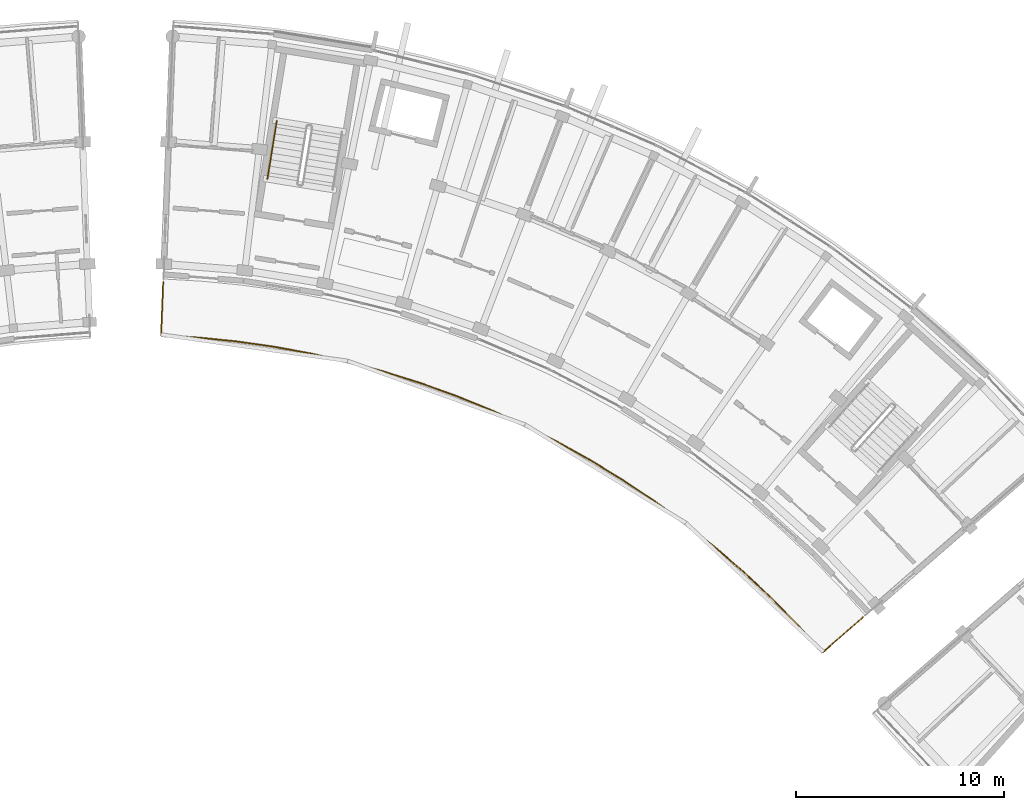
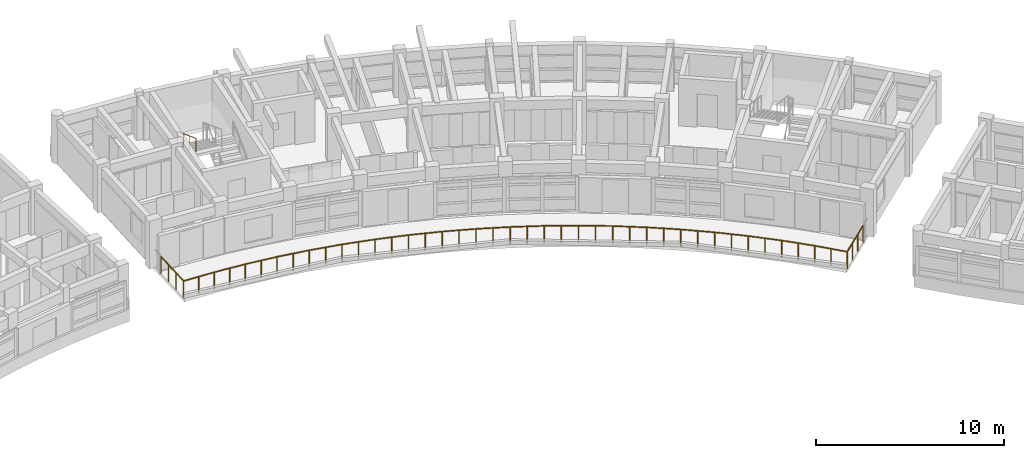
# One storey, part 33 of 38: 2 railings.
"""IFC4 building model written with IfcOpenShell, lengths in metres."""

import ifcopenshell
import ifcopenshell.guid

model = None  # the IFC model being written
_history = None  # IfcOwnerHistory: only IFC2X3 demands one
_inside = {}  # id of a spatial element -> (the spatial element, [elements in it])
_under = {}  # id of a project, library or spatial element -> (it, [spatial elements below it])
_declared = {}  # id of a project -> (the project, [libraries it declares])
_typed = {}  # id of a type object -> (the type object, [elements of that type])
_made_of = {}  # id of a material, layer set ... -> (it, [elements and type objects made of it])


def new_model(schema):
    """Start an empty IFC model of exactly this schema.

    Asked for "IFC4X3", IfcOpenShell would pick the latest addendum, in which some entities
    have other attributes; the version numbers below select the first issue.
    IFC2X3 requires an IfcOwnerHistory on every rooted entity: one is made here for all.
    """
    global model, _history
    if schema == "IFC4X3":
        model = ifcopenshell.file(schema_version=(4, 3, 0, 0))
    else:
        model = ifcopenshell.file(schema=schema)
    _inside.clear()
    _under.clear()
    _declared.clear()
    _typed.clear()
    _made_of.clear()
    _history = None
    if model.schema == "IFC2X3":
        org = make("IfcOrganization", Name="unknown")
        user = make(
            "IfcPersonAndOrganization",
            ThePerson=make("IfcPerson", FamilyName="unknown"),
            TheOrganization=org,
        )
        app = make(
            "IfcApplication",
            ApplicationDeveloper=org,
            Version="unknown",
            ApplicationFullName="unknown",
            ApplicationIdentifier="unknown",
        )
        _history = make(
            "IfcOwnerHistory",
            OwningUser=user,
            OwningApplication=app,
            ChangeAction="ADDED",
            CreationDate=0,
        )
    return model


def make(cls, **values):
    """One entity of the class cls with the attributes given. An attribute that is None is left unset."""
    return model.create_entity(
        cls, **{name: value for name, value in values.items() if value is not None}
    )


def rooted(cls, **values):
    """An entity with a GlobalId (a new one), such as an element, a storey or a relation."""
    return make(cls, GlobalId=ifcopenshell.guid.new(), OwnerHistory=_history, **values)


def si_unit(unit_type, name, prefix=None):
    """IfcSIUnit, for example si_unit("LENGTHUNIT", "METRE", prefix="MILLI")."""
    return make("IfcSIUnit", UnitType=unit_type, Prefix=prefix, Name=name)


def assignment(units):
    """IfcUnitAssignment: the units of a project."""
    return None if units is None else make("IfcUnitAssignment", Units=units)


def point(xyz):
    """IfcCartesianPoint."""
    return None if xyz is None else make("IfcCartesianPoint", Coordinates=xyz)


def direction(xyz):
    """IfcDirection."""
    return None if xyz is None else make("IfcDirection", DirectionRatios=xyz)


def frame(location, z_axis=None, x_axis=None):
    """IfcAxis2Placement3D, a coordinate frame: its origin and axes. An axis left out is left unset."""
    return make(
        "IfcAxis2Placement3D",
        Location=point(location),
        Axis=direction(z_axis),
        RefDirection=direction(x_axis),
    )


def frame_2d(location, x_axis=None):
    """IfcAxis2Placement2D, a coordinate frame in the plane: its origin and x axis."""
    return make(
        "IfcAxis2Placement2D", Location=point(location), RefDirection=direction(x_axis)
    )


def origin():
    """The frame at (0, 0, 0) with its axes left unset."""
    return frame((0.0, 0.0, 0.0))


def origin_2d():
    """The frame at (0, 0) in the plane with its x axis left unset."""
    return frame_2d((0.0, 0.0))


def place(relative_to, where):
    """IfcLocalPlacement: puts the frame where relative to a parent placement (None: the world)."""
    return make(
        "IfcLocalPlacement", PlacementRelTo=relative_to, RelativePlacement=where
    )


def context(
    kind, dimensions, precision=None, world=None, true_north=None, identifier=None
):
    """IfcGeometricRepresentationContext, for example the 3D "Model" context."""
    return make(
        "IfcGeometricRepresentationContext",
        ContextIdentifier=identifier,
        ContextType=kind,
        CoordinateSpaceDimension=dimensions,
        Precision=precision,
        WorldCoordinateSystem=world,
        TrueNorth=true_north,
    )


def subcontext(parent, identifier, kind, view, scale=None):
    """IfcGeometricRepresentationSubContext, for example "Body" below "Model"."""
    return make(
        "IfcGeometricRepresentationSubContext",
        ContextIdentifier=identifier,
        ContextType=kind,
        ParentContext=parent,
        TargetScale=scale,
        TargetView=view,
    )


def project(units=None, contexts=None):
    """IfcProject with its units and contexts."""
    return rooted(
        "IfcProject",
        Name="project",
        RepresentationContexts=contexts,
        UnitsInContext=assignment(units),
    )


def spatial(cls, under=None, at=None, **own):
    """A site, building, storey or space (cls), placed at a placement, below another one or the project."""
    s = rooted(cls, ObjectPlacement=at, **own)
    if under is not None:
        _under.setdefault(under.id(), (under, []))[1].append(s)
    return s


def profile(cls, at=None, kind="AREA", **sizes):
    """A parametric profile (cls). Its sizes go by their IFC names, for example OverallWidth=200.0."""
    return make(cls, ProfileType=kind, Position=at, **sizes)


def circle(**sizes):
    """IfcCircleProfileDef."""
    return profile("IfcCircleProfileDef", **sizes)


def extrude(swept, where, along, depth):
    """IfcExtrudedAreaSolid: the profile swept, set in the frame where, extruded along a direction by depth."""
    return make(
        "IfcExtrudedAreaSolid",
        SweptArea=swept,
        Position=where,
        ExtrudedDirection=direction(along),
        Depth=depth,
    )


def shape(context_of_items, identifier, shape_type, items):
    """IfcShapeRepresentation: the items that make up one representation, for example the "Body"."""
    return make(
        "IfcShapeRepresentation",
        ContextOfItems=context_of_items,
        RepresentationIdentifier=identifier,
        RepresentationType=shape_type,
        Items=items,
    )


def material(Name=None, Category=None):
    """IfcMaterial."""
    return make("IfcMaterial", Name=Name, Category=Category)


def made_of(thing, what):
    """Note that an element or type object is made of a material, layer set ...; save() writes the relation."""
    if what is not None:
        _made_of.setdefault(what.id(), (what, []))[1].append(thing)
    return thing


def type_object(cls, material=None, **own):
    """A type object (cls), such as IfcWallType, which elements share."""
    return made_of(rooted(cls, **own), material)


def element(
    cls,
    number,
    at=None,
    inside=None,
    cuts=None,
    type_object=None,
    material=None,
    context=None,
    identifier="Body",
    shape_type=None,
    held_by="IfcProductDefinitionShape",
    body=None,
    shapes=None,
    **own,
):
    """One element of the class cls, such as IfcWall. Its Tag is "e" and its number.

    at: its placement. inside: the storey or other place that contains it. cuts: it is an
    opening in that element (IfcRelVoidsElement). A single representation is given by context,
    identifier, shape_type and body (its items); several are given by shapes. held_by: the class
    of the entity that holds the representations. save() writes the other relations.
    """
    e = rooted(cls, Tag="e%d" % number, ObjectPlacement=at, **own)
    if body is not None:
        shapes = [shape(context, identifier, shape_type, body)]
    if shapes is not None:
        e.Representation = make(held_by, Representations=shapes)
    if inside is not None:
        _inside.setdefault(inside.id(), (inside, []))[1].append(e)
    if cuts is not None:
        rooted(
            "IfcRelVoidsElement", RelatingBuildingElement=cuts, RelatedOpeningElement=e
        )
    if type_object is not None:
        _typed.setdefault(type_object.id(), (type_object, []))[1].append(e)
    return made_of(e, material)


def aggregate(whole, parts):
    """IfcRelAggregates: a whole, such as a stair, and the parts it consists of."""
    return rooted("IfcRelAggregates", RelatingObject=whole, RelatedObjects=parts)


def save(model, path):
    """Write the relations noted so far, then the file.

    IfcRelAggregates (storeys below a building ...), IfcRelContainedInSpatialStructure (elements
    in a storey), IfcRelDefinesByType, IfcRelAssociatesMaterial and IfcRelDeclares: one each for
    every whole, place, type object, material and project.
    """
    for whole, parts in _under.values():
        aggregate(whole, parts)
    for where, things in _inside.values():
        rooted(
            "IfcRelContainedInSpatialStructure",
            RelatedElements=things,
            RelatingStructure=where,
        )
    for kind, things in _typed.values():
        rooted("IfcRelDefinesByType", RelatedObjects=things, RelatingType=kind)
    for what, things in _made_of.values():
        rooted("IfcRelAssociatesMaterial", RelatedObjects=things, RelatingMaterial=what)
    for by, libraries in _declared.values():
        rooted("IfcRelDeclares", RelatingContext=by, RelatedDefinitions=libraries)
    model.write(path)


model = new_model("IFC4")

# Units and contexts
model_context = context("Model", 3, precision=1e-05, world=origin(), true_north=direction((0.0, 1.0)))
body_context = subcontext(model_context, "Body", "Model", "MODEL_VIEW")
ifc_project = project(units=[si_unit("LENGTHUNIT", "METRE"), si_unit("AREAUNIT", "SQUARE_METRE"), si_unit("VOLUMEUNIT", "CUBIC_METRE"), si_unit("PLANEANGLEUNIT", "RADIAN"), si_unit("MASSUNIT", "GRAM", prefix="KILO")], contexts=[model_context])

# Site, building, storey
site_placement = place(None, origin())
site = spatial("IfcSite", under=ifc_project, at=site_placement, CompositionType="ELEMENT")
building_placement = place(site_placement, origin())
building = spatial("IfcBuilding", under=site, at=building_placement, Name="Zimvara Arc Housing Community", CompositionType="ELEMENT")
storey_placement = place(building_placement, frame((0.0, 0.0, 29.800048828125)))
storey = spatial("IfcBuildingStorey", under=building, at=storey_placement, Name="L09", CompositionType="ELEMENT", Elevation=29.800048828125)

# Railings
ifc_material_1 = material(Name="Anodised Aluminium AW-6063", Category="aluminium")
railing_type_1 = type_object("IfcRailingType", Name="RLG-BAL-1120", PredefinedType="BALUSTRADE", material=ifc_material_1)
railing_1_placement = place(storey_placement, frame((46.80615234375, 91.515380859375, 0.0)))
element("IfcRailing", 1, at=railing_1_placement, inside=storey, type_object=railing_type_1, Name="rlg:blkB:L09:terr_guard", PredefinedType="BALUSTRADE", context=body_context, shape_type="SweptSolid", body=[
    extrude(circle(Radius=0.02392578125, at=origin_2d()), frame((0.0, 0.0, 1.09619140625), z_axis=(-0.038378397593, -0.999263277919, 0.0), x_axis=(0.999263277919, -0.038378397593, 0.0)), (0.0, 0.0, 1.0), 2.570068359375),
    extrude(circle(Radius=0.02392578125, at=origin_2d()), frame((-0.0986328125, -2.568115234375, 1.09619140625), z_axis=(0.998265555755, -0.058871726595, 0.0), x_axis=(0.058871726595, 0.998265555755, 0.0)), (0.0, 0.0, 1.0), 1.81640625),
    extrude(circle(Radius=0.02392578125, at=origin_2d()), frame((1.714599609375, -2.675048828125, 1.09619140625), z_axis=(0.995042511264, -0.099450494103, 0.0), x_axis=(0.099450494103, 0.995042511264, 0.0)), (0.0, 0.0, 1.0), 1.816650390625),
    extrude(circle(Radius=0.02392578125, at=origin_2d()), frame((3.522216796875, -2.855712890625, 1.09619140625), z_axis=(0.990144768658, -0.140047624398, 0.0), x_axis=(0.140047624398, 0.990144768658, 0.0)), (0.0, 0.0, 1.0), 1.81640625),
    extrude(circle(Radius=0.02392578125, at=origin_2d()), frame((5.32080078125, -3.110107421875, 1.09619140625), z_axis=(0.983597814824, -0.180375548988, 0.0), x_axis=(0.180375548988, 0.983597814824, 0.0)), (0.0, 0.0, 1.0), 1.81640625),
    extrude(circle(Radius=0.02392578125, at=origin_2d()), frame((7.107421875, -3.437744140625, 1.09619140625), z_axis=(0.975431685476, -0.220302126567, 0.0), x_axis=(0.220302126567, 0.975431685476, 0.0)), (0.0, 0.0, 1.0), 1.81640625),
    extrude(circle(Radius=0.02392578125, at=origin_2d()), frame((8.879150390625, -3.837890625, 1.09619140625), z_axis=(0.965596292352, -0.260045765581, 0.0), x_axis=(0.260045765581, 0.965596292352, 0.0)), (0.0, 0.0, 1.0), 1.816650390625),
    extrude(circle(Radius=0.02392578125, at=origin_2d()), frame((10.63330078125, -4.310302734375, 1.09619140625), z_axis=(0.95419013661, -0.299200907747, 0.0), x_axis=(0.299200907747, 0.95419013661, 0.0)), (0.0, 0.0, 1.0), 1.81640625),
    extrude(circle(Radius=0.02392578125, at=origin_2d()), frame((12.366455078125, -4.853759765625, 1.09619140625), z_axis=(0.941190287283, -0.337876964477, 0.0), x_axis=(0.337876964477, 0.941190287283, 0.0)), (0.0, 0.0, 1.0), 1.816650390625),
    extrude(circle(Radius=0.02392578125, at=origin_2d()), frame((14.076171875, -5.467529296875, 1.09619140625), z_axis=(0.926592481241, -0.376066980347, 0.0), x_axis=(0.376066980347, 0.926592481241, 0.0)), (0.0, 0.0, 1.0), 1.81640625),
    extrude(circle(Radius=0.02392578125, at=origin_2d()), frame((15.75927734375, -6.150634765625, 1.09619140625), z_axis=(0.910472316114, -0.413570020178, 0.0), x_axis=(0.413570020178, 0.910472316114, 0.0)), (0.0, 0.0, 1.0), 1.81640625),
    extrude(circle(Radius=0.02392578125, at=origin_2d()), frame((17.4130859375, -6.90185546875, 1.09619140625), z_axis=(0.892835617584, -0.450382681698, 0.0), x_axis=(0.450382681698, 0.892835617584, 0.0)), (0.0, 0.0, 1.0), 1.81640625),
    extrude(circle(Radius=0.02392578125, at=origin_2d()), frame((19.034912109375, -7.719970703125, 1.09619140625), z_axis=(0.873649600774, -0.486555623816, 0.0), x_axis=(0.486555623816, 0.873649600774, 0.0)), (0.0, 0.0, 1.0), 1.81640625),
    extrude(circle(Radius=0.02392578125, at=origin_2d()), frame((20.621826171875, -8.603759765625, 1.09619140625), z_axis=(0.853085749529, -0.52177073888, 0.0), x_axis=(0.52177073888, 0.853085749529, 0.0)), (0.0, 0.0, 1.0), 1.81640625),
    extrude(circle(Radius=0.02392578125, at=origin_2d()), frame((22.17138671875, -9.551513671875, 1.09619140625), z_axis=(0.831097968987, -0.556126034228, 0.0), x_axis=(0.556126034228, 0.831097968987, 0.0)), (0.0, 0.0, 1.0), 1.816650390625),
    extrude(circle(Radius=0.02392578125, at=origin_2d()), frame((23.68115234375, -10.561767578125, 1.09619140625), z_axis=(0.807659466461, -0.589649206085, 0.0), x_axis=(0.589649206085, 0.807659466461, 0.0)), (0.0, 0.0, 1.0), 1.81640625),
    extrude(circle(Radius=0.02392578125, at=origin_2d()), frame((25.148193359375, -11.6328125, 1.09619140625), z_axis=(0.782962577463, -0.622068808326, 0.0), x_axis=(0.622068808326, 0.782962577463, 0.0)), (0.0, 0.0, 1.0), 1.81640625),
    extrude(circle(Radius=0.02392578125, at=origin_2d()), frame((26.5703125, -12.7626953125, 1.09619140625), z_axis=(0.756889483608, -0.653542890409, 0.0), x_axis=(0.653542890409, 0.756889483608, 0.0)), (0.0, 0.0, 1.0), 1.816650390625),
    extrude(circle(Radius=0.02392578125, at=origin_2d()), frame((27.9453125, -13.949951171875, 1.09619140625), z_axis=(0.729587501819, -0.68388747407, 0.0), x_axis=(0.68388747407, 0.729587501819, 0.0)), (0.0, 0.0, 1.0), 1.81640625),
    extrude(circle(Radius=0.02392578125, at=origin_2d()), frame((29.2705078125, -15.192138671875, 1.09619140625), z_axis=(0.701032894244, -0.713128937281, 0.0), x_axis=(0.713128937281, 0.701032894244, 0.0)), (0.0, 0.0, 1.0), 1.81640625),
    extrude(circle(Radius=0.02392578125, at=origin_2d()), frame((30.5439453125, -16.487548828125, 1.09619140625), z_axis=(0.671300328819, -0.741185448135, 0.0), x_axis=(0.741185448135, 0.671300328819, 0.0)), (0.0, 0.0, 1.0), 1.816650390625),
    extrude(circle(Radius=0.02392578125, at=origin_2d()), frame((31.763427734375, -17.833984375, 1.09619140625), z_axis=(0.754644377994, 0.656134028047, 0.0), x_axis=(-0.656134028047, 0.754644377994, 0.0)), (0.0, 0.0, 1.0), 2.570068359375),
    extrude(circle(Radius=0.02099609375, at=origin_2d()), origin(), (0.0, 0.0, 1.0), 1.072021484375),
    extrude(circle(Radius=0.02099609375, at=origin_2d()), frame((-0.032958984375, -0.85595703125, 0.0)), (0.0, 0.0, 1.0), 1.072021484375),
    extrude(circle(Radius=0.02099609375, at=origin_2d()), frame((-0.065673828125, -1.712158203125, 0.0)), (0.0, 0.0, 1.0), 1.072021484375),
    extrude(circle(Radius=0.02099609375, at=origin_2d()), frame((-0.0986328125, -2.568115234375, 0.0)), (0.0, 0.0, 1.0), 1.072021484375),
    extrude(circle(Radius=0.02099609375, at=origin_2d()), frame((0.80810546875, -2.62158203125, 0.0)), (0.0, 0.0, 1.0), 1.072021484375),
    extrude(circle(Radius=0.02099609375, at=origin_2d()), frame((1.714599609375, -2.675048828125, 0.0)), (0.0, 0.0, 1.0), 1.072021484375),
    extrude(circle(Radius=0.02099609375, at=origin_2d()), frame((2.618408203125, -2.765380859375, 0.0)), (0.0, 0.0, 1.0), 1.072021484375),
    extrude(circle(Radius=0.02099609375, at=origin_2d()), frame((3.522216796875, -2.855712890625, 0.0)), (0.0, 0.0, 1.0), 1.072021484375),
    extrude(circle(Radius=0.02099609375, at=origin_2d()), frame((4.42138671875, -2.98291015625, 0.0)), (0.0, 0.0, 1.0), 1.072021484375),
    extrude(circle(Radius=0.02099609375, at=origin_2d()), frame((5.32080078125, -3.110107421875, 0.0)), (0.0, 0.0, 1.0), 1.072021484375),
    extrude(circle(Radius=0.02099609375, at=origin_2d()), frame((6.214111328125, -3.27392578125, 0.0)), (0.0, 0.0, 1.0), 1.072021484375),
    extrude(circle(Radius=0.02099609375, at=origin_2d()), frame((7.107421875, -3.437744140625, 0.0)), (0.0, 0.0, 1.0), 1.072021484375),
    extrude(circle(Radius=0.02099609375, at=origin_2d()), frame((7.9931640625, -3.6376953125, 0.0)), (0.0, 0.0, 1.0), 1.072021484375),
    extrude(circle(Radius=0.02099609375, at=origin_2d()), frame((8.879150390625, -3.837890625, 0.0)), (0.0, 0.0, 1.0), 1.072021484375),
    extrude(circle(Radius=0.02099609375, at=origin_2d()), frame((9.75634765625, -4.07421875, 0.0)), (0.0, 0.0, 1.0), 1.072021484375),
    extrude(circle(Radius=0.02099609375, at=origin_2d()), frame((10.63330078125, -4.310302734375, 0.0)), (0.0, 0.0, 1.0), 1.072021484375),
    extrude(circle(Radius=0.02099609375, at=origin_2d()), frame((11.5, -4.58203125, 0.0)), (0.0, 0.0, 1.0), 1.072021484375),
    extrude(circle(Radius=0.02099609375, at=origin_2d()), frame((12.366455078125, -4.853759765625, 0.0)), (0.0, 0.0, 1.0), 1.072021484375),
    extrude(circle(Radius=0.02099609375, at=origin_2d()), frame((13.22119140625, -5.16064453125, 0.0)), (0.0, 0.0, 1.0), 1.072021484375),
    extrude(circle(Radius=0.02099609375, at=origin_2d()), frame((14.076171875, -5.467529296875, 0.0)), (0.0, 0.0, 1.0), 1.072021484375),
    extrude(circle(Radius=0.02099609375, at=origin_2d()), frame((14.917724609375, -5.80908203125, 0.0)), (0.0, 0.0, 1.0), 1.072021484375),
    extrude(circle(Radius=0.02099609375, at=origin_2d()), frame((15.75927734375, -6.150634765625, 0.0)), (0.0, 0.0, 1.0), 1.072021484375),
    extrude(circle(Radius=0.02099609375, at=origin_2d()), frame((16.586181640625, -6.5263671875, 0.0)), (0.0, 0.0, 1.0), 1.072021484375),
    extrude(circle(Radius=0.02099609375, at=origin_2d()), frame((17.4130859375, -6.90185546875, 0.0)), (0.0, 0.0, 1.0), 1.072021484375),
    extrude(circle(Radius=0.02099609375, at=origin_2d()), frame((18.22412109375, -7.31103515625, 0.0)), (0.0, 0.0, 1.0), 1.072021484375),
    extrude(circle(Radius=0.02099609375, at=origin_2d()), frame((19.034912109375, -7.719970703125, 0.0)), (0.0, 0.0, 1.0), 1.072021484375),
    extrude(circle(Radius=0.02099609375, at=origin_2d()), frame((19.828369140625, -8.161865234375, 0.0)), (0.0, 0.0, 1.0), 1.072021484375),
    extrude(circle(Radius=0.02099609375, at=origin_2d()), frame((20.621826171875, -8.603759765625, 0.0)), (0.0, 0.0, 1.0), 1.072021484375),
    extrude(circle(Radius=0.02099609375, at=origin_2d()), frame((21.396484375, -9.07763671875, 0.0)), (0.0, 0.0, 1.0), 1.072021484375),
    extrude(circle(Radius=0.02099609375, at=origin_2d()), frame((22.17138671875, -9.551513671875, 0.0)), (0.0, 0.0, 1.0), 1.072021484375),
    extrude(circle(Radius=0.02099609375, at=origin_2d()), frame((22.92626953125, -10.056640625, 0.0)), (0.0, 0.0, 1.0), 1.072021484375),
    extrude(circle(Radius=0.02099609375, at=origin_2d()), frame((23.68115234375, -10.561767578125, 0.0)), (0.0, 0.0, 1.0), 1.072021484375),
    extrude(circle(Radius=0.02099609375, at=origin_2d()), frame((24.41455078125, -11.09716796875, 0.0)), (0.0, 0.0, 1.0), 1.072021484375),
    extrude(circle(Radius=0.02099609375, at=origin_2d()), frame((25.148193359375, -11.6328125, 0.0)), (0.0, 0.0, 1.0), 1.072021484375),
    extrude(circle(Radius=0.02099609375, at=origin_2d()), frame((25.859375, -12.19775390625, 0.0)), (0.0, 0.0, 1.0), 1.072021484375),
    extrude(circle(Radius=0.02099609375, at=origin_2d()), frame((26.5703125, -12.7626953125, 0.0)), (0.0, 0.0, 1.0), 1.072021484375),
    extrude(circle(Radius=0.02099609375, at=origin_2d()), frame((27.2578125, -13.3564453125, 0.0)), (0.0, 0.0, 1.0), 1.072021484375),
    extrude(circle(Radius=0.02099609375, at=origin_2d()), frame((27.9453125, -13.949951171875, 0.0)), (0.0, 0.0, 1.0), 1.072021484375),
    extrude(circle(Radius=0.02099609375, at=origin_2d()), frame((28.60791015625, -14.571044921875, 0.0)), (0.0, 0.0, 1.0), 1.072021484375),
    extrude(circle(Radius=0.02099609375, at=origin_2d()), frame((29.2705078125, -15.192138671875, 0.0)), (0.0, 0.0, 1.0), 1.072021484375),
    extrude(circle(Radius=0.02099609375, at=origin_2d()), frame((29.9072265625, -15.83984375, 0.0)), (0.0, 0.0, 1.0), 1.072021484375),
    extrude(circle(Radius=0.02099609375, at=origin_2d()), frame((30.5439453125, -16.487548828125, 0.0)), (0.0, 0.0, 1.0), 1.072021484375),
    extrude(circle(Radius=0.02099609375, at=origin_2d()), frame((31.15380859375, -17.16064453125, 0.0)), (0.0, 0.0, 1.0), 1.072021484375),
    extrude(circle(Radius=0.02099609375, at=origin_2d()), frame((31.763427734375, -17.833984375, 0.0)), (0.0, 0.0, 1.0), 1.072021484375),
    extrude(circle(Radius=0.02099609375, at=origin_2d()), frame((32.409912109375, -17.27197265625, 0.0)), (0.0, 0.0, 1.0), 1.072021484375),
    extrude(circle(Radius=0.02099609375, at=origin_2d()), frame((33.056396484375, -16.709716796875, 0.0)), (0.0, 0.0, 1.0), 1.072021484375),
    extrude(circle(Radius=0.02099609375, at=origin_2d()), frame((33.702880859375, -16.147705078125, 0.0)), (0.0, 0.0, 1.0), 1.072021484375),
])
ifc_material_2 = material(Name="Anodised Aluminium AW-6063", Category="aluminium")
railing_type_2 = type_object("IfcRailingType", Name="RLG-HND-900", PredefinedType="HANDRAIL", material=ifc_material_2)
railing_2_placement = place(storey_placement, frame((52.280517578125, 99.276123046875, 1.704833984375)))
element("IfcRailing", 2, at=railing_2_placement, inside=storey, type_object=railing_type_2, Name="L09 ST-B1 stair handrail 2", PredefinedType="HANDRAIL", context=body_context, shape_type="SweptSolid", body=[
    extrude(circle(Radius=0.02392578125, at=origin_2d()), frame((0.0, 0.0, 0.8759765625), z_axis=(-0.143721784145, -0.885666177347, 0.441519502474), x_axis=(0.987087819028, -0.160180016, 0.0)), (0.0, 0.0, 1.0), 3.15966796875),
    extrude(circle(Radius=0.02099609375, at=origin_2d()), origin(), (0.0, 0.0, 1.0), 0.851806640625),
    extrude(circle(Radius=0.02099609375, at=origin_2d()), frame((-0.1513671875, -0.932861328125, 0.465087890625)), (0.0, 0.0, 1.0), 0.851806640625),
    extrude(circle(Radius=0.02099609375, at=origin_2d()), frame((-0.302734375, -1.865478515625, 0.929931640625)), (0.0, 0.0, 1.0), 0.851806640625),
    extrude(circle(Radius=0.02099609375, at=origin_2d()), frame((-0.4541015625, -2.79833984375, 1.39501953125)), (0.0, 0.0, 1.0), 0.851806640625),
])

save(model, "model.ifc")
